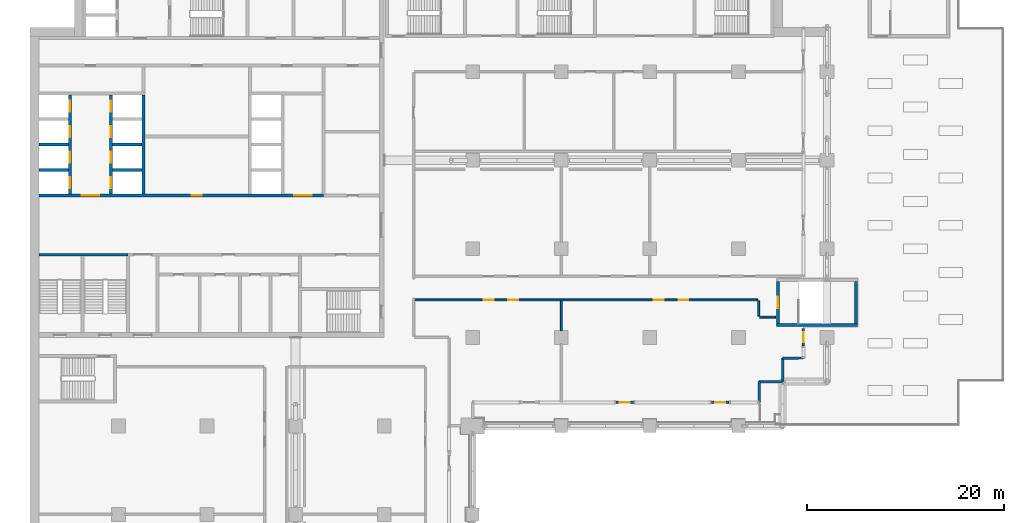
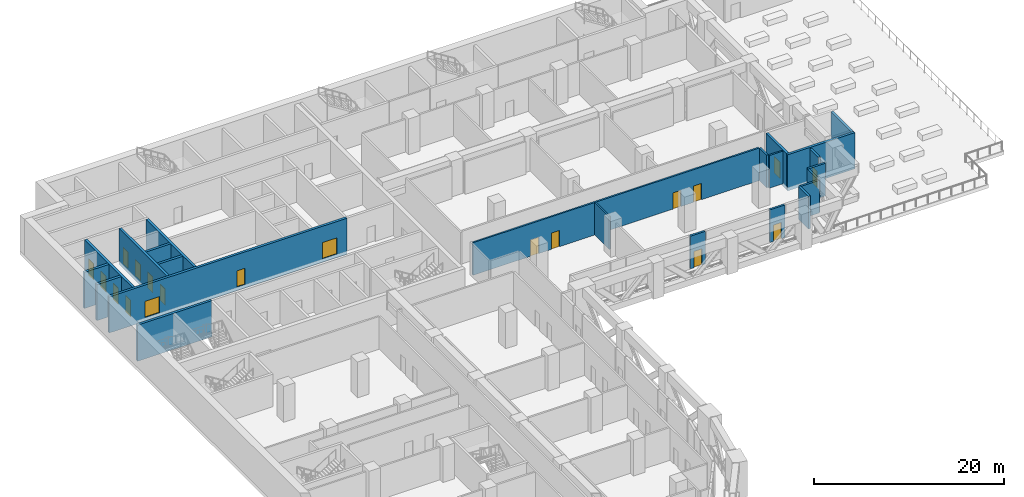
# One storey, part 11 of 24: 23 walls, 19 doors, 19 openings.
"""IFC4 building model written with IfcOpenShell, lengths in metres."""

from ifc_helpers import new_model, si_unit, direction, frame, frame_2d, origin, place, context, subcontext, project, spatial, rectangle, extrude, material, layer, layer_set, type_object, element, fill, save


model = new_model("IFC4")

# Units and contexts
model_context = context("Model", 3, precision=1e-05, world=origin(), true_north=direction((0.0, 1.0)))
body_context = subcontext(model_context, "Body", "Model", "MODEL_VIEW")
ifc_project = project(units=[si_unit("LENGTHUNIT", "METRE"), si_unit("AREAUNIT", "SQUARE_METRE"), si_unit("VOLUMEUNIT", "CUBIC_METRE"), si_unit("PLANEANGLEUNIT", "RADIAN"), si_unit("MASSUNIT", "GRAM", prefix="KILO")], contexts=[model_context])

# Site, building, storey
site_placement = place(None, origin())
site = spatial("IfcSite", under=ifc_project, at=site_placement, CompositionType="ELEMENT")
building_placement = place(site_placement, origin())
building = spatial("IfcBuilding", under=site, at=building_placement, Name="Hunhe Ridgeline Campus", CompositionType="ELEMENT")
storey_placement = place(building_placement, frame((0.0, 0.0, 80.199951171875)))
storey = spatial("IfcBuildingStorey", under=building, at=storey_placement, Name="L19", CompositionType="ELEMENT", Elevation=80.199951171875)

# Walls
ifc_material_1 = material(Name="Concrete C30", Category="concrete")
ifc_layer_1 = layer(ifc_material_1, 0.25)
ifc_layer_set_1 = layer_set([ifc_layer_1], Name="Corner return wall 250 Concrete C30")
wall_type_1 = type_object("IfcWallType", Name="Corner return wall 250 Concrete C30", PredefinedType="SOLIDWALL", material=ifc_layer_set_1)
wall_1_placement = place(storey_placement, frame((74.09912109375, 56.40087890625, 0.0), z_axis=(0.0, 0.0, 1.0), x_axis=(0.00011626555, 0.999999993241, 0.0)))
element("IfcWall", 1, at=wall_1_placement, inside=storey, type_object=wall_type_1, Name="Corner return wall 4", PredefinedType="SOLIDWALL", context=body_context, shape_type="SweptSolid", body=[
    extrude(rectangle(XDim=2.099853515625, YDim=0.25, at=frame_2d((1.0498046875, 0.0))), origin(), (0.0, 0.0, 1.0), 4.199951171875),
])
for number, where, z_axis, x_axis, name in (
    (2, (74.099365234375, 58.500732421875, 0.0), (0.0, 0.0, 1.0), (0.999999994825, 0.000101739749, 0.0), "Corner return wall 5"),
    (3, (76.4990234375, 58.5009765625, 0.0), (0.0, 0.0, 1.0), (0.000101739749, 0.999999994825, 0.0), "Corner return wall 6"),
):
    element("IfcWall", number, at=place(storey_placement, frame(where, z_axis=z_axis, x_axis=x_axis)), inside=storey, type_object=wall_type_1, Name=name, PredefinedType="SOLIDWALL", context=body_context, shape_type="SweptSolid", body=[
        extrude(rectangle(XDim=2.399658203125, YDim=0.25, at=frame_2d((1.19970703125, 0.0))), origin(), (0.0, 0.0, 1.0), 4.199951171875),
    ])
wall_2_placement = place(storey_placement, frame((76.499267578125, 60.900634765625, 0.0), z_axis=(0.0, 0.0, 1.0), x_axis=(0.999999993241, 0.00011626555, 0.0)))
element("IfcWall", 4, at=wall_2_placement, inside=storey, type_object=wall_type_1, Name="Corner return wall 7", PredefinedType="SOLIDWALL", context=body_context, shape_type="SweptSolid", body=[
    extrude(rectangle(XDim=2.099853515625, YDim=0.25, at=frame_2d((1.0498046875, 0.0))), origin(), (0.0, 0.0, 1.0), 4.199951171875),
])
ifc_material_2 = material(Name="Gypsum board partition")
ifc_layer_2 = layer(ifc_material_2, 0.199951171875)
ifc_layer_set_2 = layer_set([ifc_layer_2], Name="Corridor partition 200 gypsum board on steel studs")
wall_type_2 = type_object("IfcWallType", Name="Corridor partition 200 gypsum board on steel studs", PredefinedType="PARTITIONING", material=ifc_layer_set_2)
wall_3_placement = place(storey_placement, frame((75.7958984375, 65.050048828125, 0.0), z_axis=(0.0, 0.0, 1.0), x_axis=(-1.0, 0.0, 0.0)))
element("IfcWall", 5, at=wall_3_placement, inside=storey, type_object=wall_type_2, Name="F-L19-wall-027", PredefinedType="PARTITIONING", context=body_context, shape_type="SweptSolid", body=[
    extrude(rectangle(XDim=1.64599609375, YDim=0.199951171875, at=frame_2d((0.822998046875, 0.0))), origin(), (0.0, 0.0, 1.0), 4.199951171875),
])

# Wall, openings, doors
wall_4_placement = place(storey_placement, frame((73.949951171875, 66.800048828125, 0.0), z_axis=(0.0, 0.0, 1.0), x_axis=(-1.0, 0.0, 0.0)))
wall_4 = element("IfcWall", 6, at=wall_4_placement, inside=storey, type_object=wall_type_2, Name="F-L19-wall-028", PredefinedType="PARTITIONING", context=body_context, shape_type="SweptSolid", body=[
    extrude(rectangle(XDim=34.849853515625, YDim=0.199951171875, at=frame_2d((17.4248046875, 0.0))), origin(), (0.0, 0.0, 1.0), 4.199951171875),
])
opening_1_placement = place(wall_4_placement, frame((26.828369140625, 0.0, 0.0)))
opening_1 = element("IfcOpeningElement", 7, at=opening_1_placement, cuts=wall_4, Name="Opening RD1-020", PredefinedType="OPENING", context=body_context, shape_type="SweptSolid", body=[
    extrude(rectangle(XDim=1.0, YDim=2.10009765625, at=frame_2d((0.5, 1.050048828125))), frame((0.0, 0.10009765625, 0.0), z_axis=(0.0, -1.0, 0.0), x_axis=(1.0, 0.0, 0.0)), (0.0, 0.0, 1.0), 0.199951171875),
])
opening_2_placement = place(wall_4_placement, frame((24.328369140625, 0.0, 0.0)))
opening_2 = element("IfcOpeningElement", 8, at=opening_2_placement, cuts=wall_4, Name="Opening RD1-021", PredefinedType="OPENING", context=body_context, shape_type="SweptSolid", body=[
    extrude(rectangle(XDim=1.0, YDim=2.10009765625, at=frame_2d((0.5, 1.050048828125))), frame((0.0, 0.10009765625, 0.0), z_axis=(0.0, -1.0, 0.0), x_axis=(1.0, 0.0, 0.0)), (0.0, 0.0, 1.0), 0.199951171875),
])
opening_3_placement = place(wall_4_placement, frame((9.52880859375, 0.0, 0.0)))
opening_3 = element("IfcOpeningElement", 9, at=opening_3_placement, cuts=wall_4, Name="Opening RD1-022", PredefinedType="OPENING", context=body_context, shape_type="SweptSolid", body=[
    extrude(rectangle(XDim=1.0, YDim=2.10009765625, at=frame_2d((0.5, 1.050048828125))), frame((0.0, 0.10009765625, 0.0), z_axis=(0.0, -1.0, 0.0), x_axis=(1.0, 0.0, 0.0)), (0.0, 0.0, 1.0), 0.199951171875),
])
opening_4_placement = place(wall_4_placement, frame((7.02880859375, 0.0, 0.0)))
opening_4 = element("IfcOpeningElement", 10, at=opening_4_placement, cuts=wall_4, Name="Opening RD1-023", PredefinedType="OPENING", context=body_context, shape_type="SweptSolid", body=[
    extrude(rectangle(XDim=1.0, YDim=2.10009765625, at=frame_2d((0.5, 1.050048828125))), frame((0.0, 0.10009765625, 0.0), z_axis=(0.0, -1.0, 0.0), x_axis=(1.0, 0.0, 0.0)), (0.0, 0.0, 1.0), 0.199951171875),
])
ifc_material_3 = material(Name="Timber door leaf", Category="wood")
door_type_1 = type_object("IfcDoorType", Name="Single fire door 1000x2100 timber FD60", OperationType="NOTDEFINED", PredefinedType="DOOR", material=ifc_material_3)
door_1_placement = place(opening_1_placement, frame((1.0, 0.0, 0.0), z_axis=(0.0, 0.0, 1.0), x_axis=(-1.0, 0.0, 0.0)))
door_1 = element("IfcDoor", 11, at=door_1_placement, inside=storey, type_object=door_type_1, Name="F-L19-door-020", OperationType="SINGLE_SWING_RIGHT", OverallHeight=2.10009765625, OverallWidth=1.0, PredefinedType="DOOR", context=body_context, shape_type="SweptSolid", body=[
    extrude(rectangle(XDim=1.0, YDim=2.10009765625, at=frame_2d((0.5, 1.050048828125))), frame((0.0, 0.02490234375, 0.0), z_axis=(0.0, -1.0, 0.0), x_axis=(1.0, 0.0, 0.0)), (0.0, 0.0, 1.0), 0.050048828125),
])
fill(opening_1, door_1)
door_2_placement = place(opening_2_placement, frame((1.0, 0.0, 0.0), z_axis=(0.0, 0.0, 1.0), x_axis=(-1.0, 0.0, 0.0)))
door_2 = element("IfcDoor", 12, at=door_2_placement, inside=storey, type_object=door_type_1, Name="F-L19-door-021", OperationType="SINGLE_SWING_RIGHT", OverallHeight=2.10009765625, OverallWidth=1.0, PredefinedType="DOOR", context=body_context, shape_type="SweptSolid", body=[
    extrude(rectangle(XDim=1.0, YDim=2.10009765625, at=frame_2d((0.5, 1.050048828125))), frame((0.0, 0.02490234375, 0.0), z_axis=(0.0, -1.0, 0.0), x_axis=(1.0, 0.0, 0.0)), (0.0, 0.0, 1.0), 0.050048828125),
])
fill(opening_2, door_2)
door_3_placement = place(opening_3_placement, frame((1.0, 0.0, 0.0), z_axis=(0.0, 0.0, 1.0), x_axis=(-1.0, 0.0, 0.0)))
door_3 = element("IfcDoor", 13, at=door_3_placement, inside=storey, type_object=door_type_1, Name="F-L19-door-022", OperationType="SINGLE_SWING_RIGHT", OverallHeight=2.10009765625, OverallWidth=1.0, PredefinedType="DOOR", context=body_context, shape_type="SweptSolid", body=[
    extrude(rectangle(XDim=1.0, YDim=2.10009765625, at=frame_2d((0.5, 1.050048828125))), frame((0.0, 0.02490234375, 0.0), z_axis=(0.0, -1.0, 0.0), x_axis=(1.0, 0.0, 0.0)), (0.0, 0.0, 1.0), 0.050048828125),
])
fill(opening_3, door_3)
door_4_placement = place(opening_4_placement, frame((1.0, 0.0, 0.0), z_axis=(0.0, 0.0, 1.0), x_axis=(-1.0, 0.0, 0.0)))
door_4 = element("IfcDoor", 14, at=door_4_placement, inside=storey, type_object=door_type_1, Name="F-L19-door-023", OperationType="SINGLE_SWING_RIGHT", OverallHeight=2.10009765625, OverallWidth=1.0, PredefinedType="DOOR", context=body_context, shape_type="SweptSolid", body=[
    extrude(rectangle(XDim=1.0, YDim=2.10009765625, at=frame_2d((0.5, 1.050048828125))), frame((0.0, 0.02490234375, 0.0), z_axis=(0.0, -1.0, 0.0), x_axis=(1.0, 0.0, 0.0)), (0.0, 0.0, 1.0), 0.050048828125),
])
fill(opening_4, door_4)

# Walls
wall_5_placement = place(storey_placement, frame((54.0, 66.699951171875, 0.0), z_axis=(0.0, 0.0, 1.0), x_axis=(0.0, -1.0, 0.0)))
element("IfcWall", 15, at=wall_5_placement, inside=storey, type_object=wall_type_2, Name="F-L19-wall-065", PredefinedType="PARTITIONING", context=body_context, shape_type="SweptSolid", body=[
    extrude(rectangle(XDim=3.050048828125, YDim=0.199951171875, at=frame_2d((1.52490234375, 0.0))), origin(), (0.0, 0.0, 1.0), 4.199951171875),
])
wall_6_placement = place(storey_placement, frame((74.050048828125, 65.14990234375, 0.0), z_axis=(0.0, 0.0, 1.0), x_axis=(0.0, 1.0, 0.0)))
element("IfcWall", 16, at=wall_6_placement, inside=storey, type_object=wall_type_2, Name="F-L19-wall-072", PredefinedType="PARTITIONING", context=body_context, shape_type="SweptSolid", body=[
    extrude(rectangle(XDim=1.550048828125, YDim=0.199951171875, at=frame_2d((0.77490234375, 0.0))), origin(), (0.0, 0.0, 1.0), 4.199951171875),
])

# Wall, opening, door
ifc_layer_3 = layer(ifc_material_1, 0.25)
ifc_layer_set_3 = layer_set([ifc_layer_3], Name="Loggia door pier wall 250 Concrete C30")
wall_type_3 = type_object("IfcWallType", Name="Loggia door pier wall 250 Concrete C30", PredefinedType="SOLIDWALL", material=ifc_layer_set_3)
wall_7_placement = place(storey_placement, frame((59.549560546875, 56.40087890625, 0.0), z_axis=(0.0, 0.0, 1.0), x_axis=(1.0, 0.0, 0.0)))
wall_7 = element("IfcWall", 17, at=wall_7_placement, inside=storey, type_object=wall_type_3, Name="Loggia door pier 13", PredefinedType="SOLIDWALL", context=body_context, shape_type="SweptSolid", body=[
    extrude(rectangle(XDim=1.7998046875, YDim=0.25, at=frame_2d((0.89990234375, 0.0))), origin(), (0.0, 0.0, 1.0), 4.199951171875),
])
opening_5_placement = place(wall_7_placement, frame((0.39990234375, 0.0, 0.0)))
opening_5 = element("IfcOpeningElement", 18, at=opening_5_placement, cuts=wall_7, Name="Opening BR213", PredefinedType="OPENING", context=body_context, shape_type="SweptSolid", body=[
    extrude(rectangle(XDim=1.0, YDim=2.10009765625, at=frame_2d((0.5, 1.050048828125))), frame((0.0, 0.125, 0.0), z_axis=(0.0, -1.0, 0.0), x_axis=(1.0, 0.0, 0.0)), (0.0, 0.0, 1.0), 0.25),
])
ifc_material_4 = material(Name="Aluminium 6063", Category="aluminium")
door_type_2 = type_object("IfcDoorType", Name="Loggia glazed door 1000x2100", OperationType="NOTDEFINED", PredefinedType="DOOR", material=ifc_material_4)
door_5_placement = place(opening_5_placement, frame((1.0, 0.0, 0.0), z_axis=(0.0, 0.0, 1.0), x_axis=(-1.0, 0.0, 0.0)))
door_5 = element("IfcDoor", 19, at=door_5_placement, inside=storey, type_object=door_type_2, Name="Loggia door BR213", OperationType="SINGLE_SWING_RIGHT", OverallHeight=2.10009765625, OverallWidth=1.0, PredefinedType="DOOR", context=body_context, shape_type="SweptSolid", body=[
    extrude(rectangle(XDim=1.0, YDim=2.10009765625, at=frame_2d((0.5, 1.050048828125))), frame((0.0, 0.02490234375, 0.0), z_axis=(0.0, -1.0, 0.0), x_axis=(1.0, 0.0, 0.0)), (0.0, 0.0, 1.0), 0.050048828125),
])
fill(opening_5, door_5)

wall_8_placement = place(storey_placement, frame((69.249267578125, 56.40087890625, 0.0), z_axis=(0.0, 0.0, 1.0), x_axis=(1.0, 0.0, 0.0)))
wall_8 = element("IfcWall", 20, at=wall_8_placement, inside=storey, type_object=wall_type_3, Name="Loggia door pier 14", PredefinedType="SOLIDWALL", context=body_context, shape_type="SweptSolid", body=[
    extrude(rectangle(XDim=1.7998046875, YDim=0.25, at=frame_2d((0.89990234375, 0.0))), origin(), (0.0, 0.0, 1.0), 4.199951171875),
])
opening_6_placement = place(wall_8_placement, frame((0.39990234375, 0.0, 0.0)))
opening_6 = element("IfcOpeningElement", 21, at=opening_6_placement, cuts=wall_8, Name="Opening BR214", PredefinedType="OPENING", context=body_context, shape_type="SweptSolid", body=[
    extrude(rectangle(XDim=1.0, YDim=2.10009765625, at=frame_2d((0.5, 1.050048828125))), frame((0.0, 0.125, 0.0), z_axis=(0.0, -1.0, 0.0), x_axis=(1.0, 0.0, 0.0)), (0.0, 0.0, 1.0), 0.25),
])
door_6_placement = place(opening_6_placement, frame((1.0, 0.0, 0.0), z_axis=(0.0, 0.0, 1.0), x_axis=(-1.0, 0.0, 0.0)))
door_6 = element("IfcDoor", 22, at=door_6_placement, inside=storey, type_object=door_type_2, Name="Loggia door BR214", OperationType="SINGLE_SWING_LEFT", OverallHeight=2.10009765625, OverallWidth=1.0, PredefinedType="DOOR", context=body_context, shape_type="SweptSolid", body=[
    extrude(rectangle(XDim=1.0, YDim=2.10009765625, at=frame_2d((0.5, 1.050048828125))), frame((0.0, 0.02490234375, 0.0), z_axis=(0.0, -1.0, 0.0), x_axis=(1.0, 0.0, 0.0)), (0.0, 0.0, 1.0), 0.050048828125),
])
fill(opening_6, door_6)

wall_9_placement = place(storey_placement, frame((78.59912109375, 62.100830078125, 0.0), z_axis=(0.0, 0.0, 1.0), x_axis=(0.0, 1.0, 0.0)))
wall_9 = element("IfcWall", 23, at=wall_9_placement, inside=storey, type_object=wall_type_3, Name="Loggia door pier 15", PredefinedType="SOLIDWALL", context=body_context, shape_type="SweptSolid", body=[
    extrude(rectangle(XDim=1.800048828125, YDim=0.25, at=frame_2d((0.89990234375, 0.0))), origin(), (0.0, 0.0, 1.0), 4.199951171875),
])
opening_7_placement = place(wall_9_placement, frame((0.39990234375, 0.0, 0.0)))
opening_7 = element("IfcOpeningElement", 24, at=opening_7_placement, cuts=wall_9, Name="Opening BR215", PredefinedType="OPENING", context=body_context, shape_type="SweptSolid", body=[
    extrude(rectangle(XDim=1.0, YDim=2.10009765625, at=frame_2d((0.5, 1.050048828125))), frame((0.0, 0.125, 0.0), z_axis=(0.0, -1.0, 0.0), x_axis=(1.0, 0.0, 0.0)), (0.0, 0.0, 1.0), 0.25),
])
door_7_placement = place(opening_7_placement, frame((1.0, 0.0, 0.0), z_axis=(0.0, 0.0, 1.0), x_axis=(-1.0, 0.0, 0.0)))
door_7 = element("IfcDoor", 25, at=door_7_placement, inside=storey, type_object=door_type_2, Name="Loggia door BR215", OperationType="SINGLE_SWING_RIGHT", OverallHeight=2.10009765625, OverallWidth=1.0, PredefinedType="DOOR", context=body_context, shape_type="SweptSolid", body=[
    extrude(rectangle(XDim=1.0, YDim=2.10009765625, at=frame_2d((0.5, 1.050048828125))), frame((0.0, 0.02490234375, 0.0), z_axis=(0.0, -1.0, 0.0), x_axis=(1.0, 0.0, 0.0)), (0.0, 0.0, 1.0), 0.050048828125),
])
fill(opening_7, door_7)

# Wall, openings, doors
ifc_material_5 = material(Name="Concrete C80", Category="concrete")
ifc_layer_4 = layer(ifc_material_5, 0.300048828125)
ifc_layer_set_4 = layer_set([ifc_layer_4], Name="Shaft wall 300 reinforced concrete C80")
wall_type_4 = type_object("IfcWallType", Name="Shaft wall 300 reinforced concrete C80", PredefinedType="SOLIDWALL", material=ifc_layer_set_4)
wall_10_placement = place(storey_placement, frame((0.89990234375, 77.39990234375, -0.449951171875), z_axis=(0.0, 0.0, 1.0), x_axis=(1.0, 0.0, 0.0)))
wall_10 = element("IfcWall", 26, at=wall_10_placement, inside=storey, type_object=wall_type_4, Name="L19 core wall 15", PredefinedType="SOLIDWALL", context=body_context, shape_type="SweptSolid", body=[
    extrude(rectangle(XDim=28.9501953125, YDim=0.300048828125, at=frame_2d((14.47509765625, 0.0))), origin(), (0.0, 0.0, 1.0), 4.64990234375),
])
opening_8_placement = place(wall_10_placement, frame((4.35009765625, 0.0, 0.449951171875)))
opening_8 = element("IfcOpeningElement", 27, at=opening_8_placement, cuts=wall_10, Name="Opening CD1", PredefinedType="OPENING", context=body_context, shape_type="SweptSolid", body=[
    extrude(rectangle(XDim=1.800048828125, YDim=2.10009765625, at=frame_2d((0.89990234375, 1.050048828125))), frame((0.0, 0.14990234375, 0.0), z_axis=(0.0, -1.0, 0.0), x_axis=(1.0, 0.0, 0.0)), (0.0, 0.0, 1.0), 0.300048828125),
])
opening_9_placement = place(wall_10_placement, frame((25.949951171875, 0.0, 0.449951171875)))
opening_9 = element("IfcOpeningElement", 28, at=opening_9_placement, cuts=wall_10, Name="Opening CD2", PredefinedType="OPENING", context=body_context, shape_type="SweptSolid", body=[
    extrude(rectangle(XDim=1.800048828125, YDim=2.10009765625, at=frame_2d((0.89990234375, 1.050048828125))), frame((0.0, 0.14990234375, 0.0), z_axis=(0.0, -1.0, 0.0), x_axis=(1.0, 0.0, 0.0)), (0.0, 0.0, 1.0), 0.300048828125),
])
opening_10_placement = place(wall_10_placement, frame((15.550048828125, 0.0, 0.449951171875)))
opening_10 = element("IfcOpeningElement", 29, at=opening_10_placement, cuts=wall_10, Name="Opening CD28", PredefinedType="OPENING", context=body_context, shape_type="SweptSolid", body=[
    extrude(rectangle(XDim=1.0, YDim=2.10009765625, at=frame_2d((0.5, 1.050048828125))), frame((0.0, 0.14990234375, 0.0), z_axis=(0.0, -1.0, 0.0), x_axis=(1.0, 0.0, 0.0)), (0.0, 0.0, 1.0), 0.300048828125),
])
ifc_material_6 = material(Name="Hollow metal fire door leaf")
door_type_3 = type_object("IfcDoorType", Name="Lobby door 1800x2100 FD60", OperationType="SINGLE_SWING_LEFT", PredefinedType="DOOR", material=ifc_material_6)
door_8_placement = place(opening_8_placement, frame((1.800048828125, 0.0, 0.0), z_axis=(0.0, 0.0, 1.0), x_axis=(-1.0, 0.0, 0.0)))
door_8 = element("IfcDoor", 30, at=door_8_placement, inside=storey, type_object=door_type_3, Name="L19 door LOB-LR", OperationType="SINGLE_SWING_RIGHT", OverallHeight=2.10009765625, OverallWidth=1.800048828125, PredefinedType="DOOR", context=body_context, shape_type="SweptSolid", body=[
    extrude(rectangle(XDim=1.800048828125, YDim=2.10009765625, at=frame_2d((0.89990234375, 1.050048828125))), frame((0.0, 0.02490234375, 0.0), z_axis=(0.0, -1.0, 0.0), x_axis=(1.0, 0.0, 0.0)), (0.0, 0.0, 1.0), 0.050048828125),
])
fill(opening_8, door_8)
door_9_placement = place(opening_9_placement, frame((1.800048828125, 0.0, 0.0), z_axis=(0.0, 0.0, 1.0), x_axis=(-1.0, 0.0, 0.0)))
door_9 = element("IfcDoor", 31, at=door_9_placement, inside=storey, type_object=door_type_3, Name="L19 door LOB-SH", OperationType="SINGLE_SWING_LEFT", OverallHeight=2.10009765625, OverallWidth=1.800048828125, PredefinedType="DOOR", context=body_context, shape_type="SweptSolid", body=[
    extrude(rectangle(XDim=1.800048828125, YDim=2.10009765625, at=frame_2d((0.89990234375, 1.050048828125))), frame((0.0, 0.02490234375, 0.0), z_axis=(0.0, -1.0, 0.0), x_axis=(1.0, 0.0, 0.0)), (0.0, 0.0, 1.0), 0.050048828125),
])
fill(opening_9, door_9)
ifc_material_7 = material(Name="Solid core timber door leaf", Category="wood")
door_type_4 = type_object("IfcDoorType", Name="Timber door 1000x2100", OperationType="SINGLE_SWING_LEFT", PredefinedType="DOOR", material=ifc_material_7)
door_10_placement = place(opening_10_placement, origin())
door_10 = element("IfcDoor", 32, at=door_10_placement, inside=storey, type_object=door_type_4, Name="L19 door VD-HR0", OperationType="SINGLE_SWING_RIGHT", OverallHeight=2.10009765625, OverallWidth=1.0, PredefinedType="DOOR", context=body_context, shape_type="SweptSolid", body=[
    extrude(rectangle(XDim=1.0, YDim=2.10009765625, at=frame_2d((0.5, 1.050048828125))), frame((0.0, 0.02490234375, 0.0), z_axis=(0.0, -1.0, 0.0), x_axis=(1.0, 0.0, 0.0)), (0.0, 0.0, 1.0), 0.050048828125),
])
fill(opening_10, door_10)

# Walls
for number, where, z_axis, x_axis, name in (
    (33, (0.89990234375, 80.0, -0.449951171875), (0.0, 0.0, 1.0), (1.0, 0.0, 0.0), "L19 core wall 17"),
    (34, (8.39990234375, 80.0, -0.449951171875), (0.0, 0.0, 1.0), (1.0, 0.0, 0.0), "L19 core wall 18"),
    (35, (0.89990234375, 82.60009765625, -0.449951171875), (0.0, 0.0, 1.0), (1.0, 0.0, 0.0), "L19 core wall 20"),
    (36, (8.39990234375, 82.60009765625, -0.449951171875), (0.0, 0.0, 1.0), (1.0, 0.0, 0.0), "L19 core wall 21"),
):
    element("IfcWall", number, at=place(storey_placement, frame(where, z_axis=z_axis, x_axis=x_axis)), inside=storey, type_object=wall_type_4, Name=name, PredefinedType="SOLIDWALL", context=body_context, shape_type="SweptSolid", body=[
        extrude(rectangle(XDim=3.0, YDim=0.300048828125, at=frame_2d((1.5, 0.0))), origin(), (0.0, 0.0, 1.0), 4.64990234375),
    ])

# Wall, openings, doors
wall_11_placement = place(storey_placement, frame((4.050048828125, 77.550048828125, -0.449951171875), z_axis=(0.0, 0.0, 1.0), x_axis=(0.0, 1.0, 0.0)))
wall_11 = element("IfcWall", 37, at=wall_11_placement, inside=storey, type_object=wall_type_4, Name="L19 core wall 38", PredefinedType="SOLIDWALL", context=body_context, shape_type="SweptSolid", body=[
    extrude(rectangle(XDim=10.099853515625, YDim=0.300048828125, at=frame_2d((5.0498046875, 0.0))), origin(), (0.0, 0.0, 1.0), 4.64990234375),
])
opening_11_placement = place(wall_11_placement, frame((0.60009765625, 0.0, 0.449951171875)))
opening_11 = element("IfcOpeningElement", 38, at=opening_11_placement, cuts=wall_11, Name="Opening LD-LR1", PredefinedType="OPENING", context=body_context, shape_type="SweptSolid", body=[
    extrude(rectangle(XDim=1.10009765625, YDim=2.10009765625, at=frame_2d((0.550048828125, 1.050048828125))), frame((0.0, 0.14990234375, 0.0), z_axis=(0.0, -1.0, 0.0), x_axis=(1.0, 0.0, 0.0)), (0.0, 0.0, 1.0), 0.300048828125),
])
opening_12_placement = place(wall_11_placement, frame((3.199951171875, 0.0, 0.449951171875)))
opening_12 = element("IfcOpeningElement", 39, at=opening_12_placement, cuts=wall_11, Name="Opening LD-LR2", PredefinedType="OPENING", context=body_context, shape_type="SweptSolid", body=[
    extrude(rectangle(XDim=1.10009765625, YDim=2.10009765625, at=frame_2d((0.550048828125, 1.050048828125))), frame((0.0, 0.14990234375, 0.0), z_axis=(0.0, -1.0, 0.0), x_axis=(1.0, 0.0, 0.0)), (0.0, 0.0, 1.0), 0.300048828125),
])
opening_13_placement = place(wall_11_placement, frame((5.800048828125, 0.0, 0.449951171875)))
opening_13 = element("IfcOpeningElement", 40, at=opening_13_placement, cuts=wall_11, Name="Opening LD-LR3", PredefinedType="OPENING", context=body_context, shape_type="SweptSolid", body=[
    extrude(rectangle(XDim=1.10009765625, YDim=2.10009765625, at=frame_2d((0.550048828125, 1.050048828125))), frame((0.0, 0.14990234375, 0.0), z_axis=(0.0, -1.0, 0.0), x_axis=(1.0, 0.0, 0.0)), (0.0, 0.0, 1.0), 0.300048828125),
])
opening_14_placement = place(wall_11_placement, frame((8.39990234375, 0.0, 0.449951171875)))
opening_14 = element("IfcOpeningElement", 41, at=opening_14_placement, cuts=wall_11, Name="Opening LD-LR4", PredefinedType="OPENING", context=body_context, shape_type="SweptSolid", body=[
    extrude(rectangle(XDim=1.10009765625, YDim=2.10009765625, at=frame_2d((0.550048828125, 1.050048828125))), frame((0.0, 0.14990234375, 0.0), z_axis=(0.0, -1.0, 0.0), x_axis=(1.0, 0.0, 0.0)), (0.0, 0.0, 1.0), 0.300048828125),
])
ifc_material_8 = material(Name="Stainless steel sliding leaves", Category="steel")
door_type_5 = type_object("IfcDoorType", Name="Landing door 1100x2100 FD120", OperationType="SLIDING_TO_LEFT", PredefinedType="DOOR", material=ifc_material_8)
door_11_placement = place(opening_11_placement, origin())
door_11 = element("IfcDoor", 42, at=door_11_placement, inside=storey, type_object=door_type_5, Name="L19 landing door LR1", OperationType="SLIDING_TO_RIGHT", OverallHeight=2.10009765625, OverallWidth=1.10009765625, PredefinedType="DOOR", context=body_context, shape_type="SweptSolid", body=[
    extrude(rectangle(XDim=1.10009765625, YDim=2.10009765625, at=frame_2d((0.550048828125, 1.050048828125))), frame((0.0, 0.02490234375, 0.0), z_axis=(0.0, -1.0, 0.0), x_axis=(1.0, 0.0, 0.0)), (0.0, 0.0, 1.0), 0.050048828125),
])
fill(opening_11, door_11)
door_12_placement = place(opening_12_placement, origin())
door_12 = element("IfcDoor", 43, at=door_12_placement, inside=storey, type_object=door_type_5, Name="L19 landing door LR2", OperationType="SLIDING_TO_LEFT", OverallHeight=2.10009765625, OverallWidth=1.10009765625, PredefinedType="DOOR", context=body_context, shape_type="SweptSolid", body=[
    extrude(rectangle(XDim=1.10009765625, YDim=2.10009765625, at=frame_2d((0.550048828125, 1.050048828125))), frame((0.0, 0.02490234375, 0.0), z_axis=(0.0, -1.0, 0.0), x_axis=(1.0, 0.0, 0.0)), (0.0, 0.0, 1.0), 0.050048828125),
])
fill(opening_12, door_12)
door_13_placement = place(opening_13_placement, origin())
door_13 = element("IfcDoor", 44, at=door_13_placement, inside=storey, type_object=door_type_5, Name="L19 landing door LR3", OperationType="SLIDING_TO_RIGHT", OverallHeight=2.10009765625, OverallWidth=1.10009765625, PredefinedType="DOOR", context=body_context, shape_type="SweptSolid", body=[
    extrude(rectangle(XDim=1.10009765625, YDim=2.10009765625, at=frame_2d((0.550048828125, 1.050048828125))), frame((0.0, 0.02490234375, 0.0), z_axis=(0.0, -1.0, 0.0), x_axis=(1.0, 0.0, 0.0)), (0.0, 0.0, 1.0), 0.050048828125),
])
fill(opening_13, door_13)
door_14_placement = place(opening_14_placement, origin())
door_14 = element("IfcDoor", 45, at=door_14_placement, inside=storey, type_object=door_type_5, Name="L19 landing door LR4", OperationType="SLIDING_TO_LEFT", OverallHeight=2.10009765625, OverallWidth=1.10009765625, PredefinedType="DOOR", context=body_context, shape_type="SweptSolid", body=[
    extrude(rectangle(XDim=1.10009765625, YDim=2.10009765625, at=frame_2d((0.550048828125, 1.050048828125))), frame((0.0, 0.02490234375, 0.0), z_axis=(0.0, -1.0, 0.0), x_axis=(1.0, 0.0, 0.0)), (0.0, 0.0, 1.0), 0.050048828125),
])
fill(opening_14, door_14)

wall_12_placement = place(storey_placement, frame((8.25, 77.550048828125, -0.449951171875), z_axis=(0.0, 0.0, 1.0), x_axis=(0.0, 1.0, 0.0)))
wall_12 = element("IfcWall", 46, at=wall_12_placement, inside=storey, type_object=wall_type_4, Name="L19 core wall 41", PredefinedType="SOLIDWALL", context=body_context, shape_type="SweptSolid", body=[
    extrude(rectangle(XDim=10.099853515625, YDim=0.300048828125, at=frame_2d((5.0498046875, 0.0))), origin(), (0.0, 0.0, 1.0), 4.64990234375),
])
opening_15_placement = place(wall_12_placement, frame((0.60009765625, 0.0, 0.449951171875)))
opening_15 = element("IfcOpeningElement", 47, at=opening_15_placement, cuts=wall_12, Name="Opening LD-LR5", PredefinedType="OPENING", context=body_context, shape_type="SweptSolid", body=[
    extrude(rectangle(XDim=1.10009765625, YDim=2.10009765625, at=frame_2d((0.550048828125, 1.050048828125))), frame((0.0, 0.14990234375, 0.0), z_axis=(0.0, -1.0, 0.0), x_axis=(1.0, 0.0, 0.0)), (0.0, 0.0, 1.0), 0.300048828125),
])
opening_16_placement = place(wall_12_placement, frame((3.199951171875, 0.0, 0.449951171875)))
opening_16 = element("IfcOpeningElement", 48, at=opening_16_placement, cuts=wall_12, Name="Opening LD-LR6", PredefinedType="OPENING", context=body_context, shape_type="SweptSolid", body=[
    extrude(rectangle(XDim=1.10009765625, YDim=2.10009765625, at=frame_2d((0.550048828125, 1.050048828125))), frame((0.0, 0.14990234375, 0.0), z_axis=(0.0, -1.0, 0.0), x_axis=(1.0, 0.0, 0.0)), (0.0, 0.0, 1.0), 0.300048828125),
])
opening_17_placement = place(wall_12_placement, frame((5.800048828125, 0.0, 0.449951171875)))
opening_17 = element("IfcOpeningElement", 49, at=opening_17_placement, cuts=wall_12, Name="Opening LD-LR7", PredefinedType="OPENING", context=body_context, shape_type="SweptSolid", body=[
    extrude(rectangle(XDim=1.10009765625, YDim=2.10009765625, at=frame_2d((0.550048828125, 1.050048828125))), frame((0.0, 0.14990234375, 0.0), z_axis=(0.0, -1.0, 0.0), x_axis=(1.0, 0.0, 0.0)), (0.0, 0.0, 1.0), 0.300048828125),
])
opening_18_placement = place(wall_12_placement, frame((8.39990234375, 0.0, 0.449951171875)))
opening_18 = element("IfcOpeningElement", 50, at=opening_18_placement, cuts=wall_12, Name="Opening LD-LR8", PredefinedType="OPENING", context=body_context, shape_type="SweptSolid", body=[
    extrude(rectangle(XDim=1.10009765625, YDim=2.10009765625, at=frame_2d((0.550048828125, 1.050048828125))), frame((0.0, 0.14990234375, 0.0), z_axis=(0.0, -1.0, 0.0), x_axis=(1.0, 0.0, 0.0)), (0.0, 0.0, 1.0), 0.300048828125),
])
door_15_placement = place(opening_15_placement, origin())
door_15 = element("IfcDoor", 51, at=door_15_placement, inside=storey, type_object=door_type_5, Name="L19 landing door LR5", OperationType="SLIDING_TO_RIGHT", OverallHeight=2.10009765625, OverallWidth=1.10009765625, PredefinedType="DOOR", context=body_context, shape_type="SweptSolid", body=[
    extrude(rectangle(XDim=1.10009765625, YDim=2.10009765625, at=frame_2d((0.550048828125, 1.050048828125))), frame((0.0, 0.02490234375, 0.0), z_axis=(0.0, -1.0, 0.0), x_axis=(1.0, 0.0, 0.0)), (0.0, 0.0, 1.0), 0.050048828125),
])
fill(opening_15, door_15)
door_16_placement = place(opening_16_placement, origin())
door_16 = element("IfcDoor", 52, at=door_16_placement, inside=storey, type_object=door_type_5, Name="L19 landing door LR6", OperationType="SLIDING_TO_LEFT", OverallHeight=2.10009765625, OverallWidth=1.10009765625, PredefinedType="DOOR", context=body_context, shape_type="SweptSolid", body=[
    extrude(rectangle(XDim=1.10009765625, YDim=2.10009765625, at=frame_2d((0.550048828125, 1.050048828125))), frame((0.0, 0.02490234375, 0.0), z_axis=(0.0, -1.0, 0.0), x_axis=(1.0, 0.0, 0.0)), (0.0, 0.0, 1.0), 0.050048828125),
])
fill(opening_16, door_16)
door_17_placement = place(opening_17_placement, origin())
door_17 = element("IfcDoor", 53, at=door_17_placement, inside=storey, type_object=door_type_5, Name="L19 landing door LR7", OperationType="SLIDING_TO_RIGHT", OverallHeight=2.10009765625, OverallWidth=1.10009765625, PredefinedType="DOOR", context=body_context, shape_type="SweptSolid", body=[
    extrude(rectangle(XDim=1.10009765625, YDim=2.10009765625, at=frame_2d((0.550048828125, 1.050048828125))), frame((0.0, 0.02490234375, 0.0), z_axis=(0.0, -1.0, 0.0), x_axis=(1.0, 0.0, 0.0)), (0.0, 0.0, 1.0), 0.050048828125),
])
fill(opening_17, door_17)
door_18_placement = place(opening_18_placement, origin())
door_18 = element("IfcDoor", 54, at=door_18_placement, inside=storey, type_object=door_type_5, Name="L19 landing door LR8", OperationType="SLIDING_TO_LEFT", OverallHeight=2.10009765625, OverallWidth=1.10009765625, PredefinedType="DOOR", context=body_context, shape_type="SweptSolid", body=[
    extrude(rectangle(XDim=1.10009765625, YDim=2.10009765625, at=frame_2d((0.550048828125, 1.050048828125))), frame((0.0, 0.02490234375, 0.0), z_axis=(0.0, -1.0, 0.0), x_axis=(1.0, 0.0, 0.0)), (0.0, 0.0, 1.0), 0.050048828125),
])
fill(opening_18, door_18)

# Walls
wall_13_placement = place(storey_placement, frame((11.550048828125, 77.550048828125, -0.449951171875), z_axis=(0.0, 0.0, 1.0), x_axis=(0.0, 1.0, 0.0)))
element("IfcWall", 55, at=wall_13_placement, inside=storey, type_object=wall_type_4, Name="L19 core wall 46", PredefinedType="SOLIDWALL", context=body_context, shape_type="SweptSolid", body=[
    extrude(rectangle(XDim=10.099853515625, YDim=0.300048828125, at=frame_2d((5.0498046875, 0.0))), origin(), (0.0, 0.0, 1.0), 4.64990234375),
])
ifc_layer_5 = layer(ifc_material_5, 0.300048828125)
ifc_layer_set_5 = layer_set([ifc_layer_5], Name="Stair wall 300 reinforced concrete C80")
wall_type_5 = type_object("IfcWallType", Name="Stair wall 300 reinforced concrete C80", PredefinedType="SOLIDWALL", material=ifc_layer_set_5)
wall_14_placement = place(storey_placement, frame((75.89990234375, 64.25, -0.449951171875), z_axis=(0.0, 0.0, 1.0), x_axis=(1.0, 0.0, 0.0)))
element("IfcWall", 56, at=wall_14_placement, inside=storey, type_object=wall_type_5, Name="L19 core wall 8", PredefinedType="SOLIDWALL", context=body_context, shape_type="SweptSolid", body=[
    extrude(rectangle(XDim=8.2001953125, YDim=0.300048828125, at=frame_2d((4.10009765625, 0.0))), origin(), (0.0, 0.0, 1.0), 4.64990234375),
])
wall_15_placement = place(storey_placement, frame((0.89990234375, 71.39990234375, -0.449951171875), z_axis=(0.0, 0.0, 1.0), x_axis=(1.0, 0.0, 0.0)))
element("IfcWall", 57, at=wall_15_placement, inside=storey, type_object=wall_type_5, Name="L19 core wall 12", PredefinedType="SOLIDWALL", context=body_context, shape_type="SweptSolid", body=[
    extrude(rectangle(XDim=9.050048828125, YDim=0.300048828125, at=frame_2d((4.52490234375, 0.0))), origin(), (0.0, 0.0, 1.0), 4.64990234375),
])

# Wall, opening, door
wall_16_placement = place(storey_placement, frame((76.050048828125, 64.39990234375, -0.449951171875), z_axis=(0.0, 0.0, 1.0), x_axis=(0.0, 1.0, 0.0)))
wall_16 = element("IfcWall", 58, at=wall_16_placement, inside=storey, type_object=wall_type_5, Name="L19 core wall 72", PredefinedType="SOLIDWALL", context=body_context, shape_type="SweptSolid", body=[
    extrude(rectangle(XDim=4.300048828125, YDim=0.300048828125, at=frame_2d((2.14990234375, 0.0))), origin(), (0.0, 0.0, 1.0), 4.64990234375),
])
opening_19_placement = place(wall_16_placement, frame((1.550048828125, 0.0, 0.449951171875)))
opening_19 = element("IfcOpeningElement", 59, at=opening_19_placement, cuts=wall_16, Name="Opening CD24", PredefinedType="OPENING", context=body_context, shape_type="SweptSolid", body=[
    extrude(rectangle(XDim=1.199951171875, YDim=2.10009765625, at=frame_2d((0.60009765625, 1.050048828125))), frame((0.0, 0.14990234375, 0.0), z_axis=(0.0, -1.0, 0.0), x_axis=(1.0, 0.0, 0.0)), (0.0, 0.0, 1.0), 0.300048828125),
])
door_type_6 = type_object("IfcDoorType", Name="Stair door 1200x2100 FD60", OperationType="SINGLE_SWING_LEFT", PredefinedType="DOOR", material=ifc_material_6)
door_19_placement = place(opening_19_placement, origin())
door_19 = element("IfcDoor", 60, at=door_19_placement, inside=storey, type_object=door_type_6, Name="L19 door E5", OperationType="SINGLE_SWING_RIGHT", OverallHeight=2.10009765625, OverallWidth=1.199951171875, PredefinedType="DOOR", context=body_context, shape_type="SweptSolid", body=[
    extrude(rectangle(XDim=1.199951171875, YDim=2.10009765625, at=frame_2d((0.60009765625, 1.050048828125))), frame((0.0, 0.02490234375, 0.0), z_axis=(0.0, -1.0, 0.0), x_axis=(1.0, 0.0, 0.0)), (0.0, 0.0, 1.0), 0.050048828125),
])
fill(opening_19, door_19)

# Wall
wall_17_placement = place(storey_placement, frame((83.949951171875, 64.39990234375, -0.449951171875), z_axis=(0.0, 0.0, 1.0), x_axis=(0.0, 1.0, 0.0)))
element("IfcWall", 61, at=wall_17_placement, inside=storey, type_object=wall_type_5, Name="L19 core wall 73", PredefinedType="SOLIDWALL", context=body_context, shape_type="SweptSolid", body=[
    extrude(rectangle(XDim=4.300048828125, YDim=0.300048828125, at=frame_2d((2.14990234375, 0.0))), origin(), (0.0, 0.0, 1.0), 4.64990234375),
])

save(model, "model.ifc")
